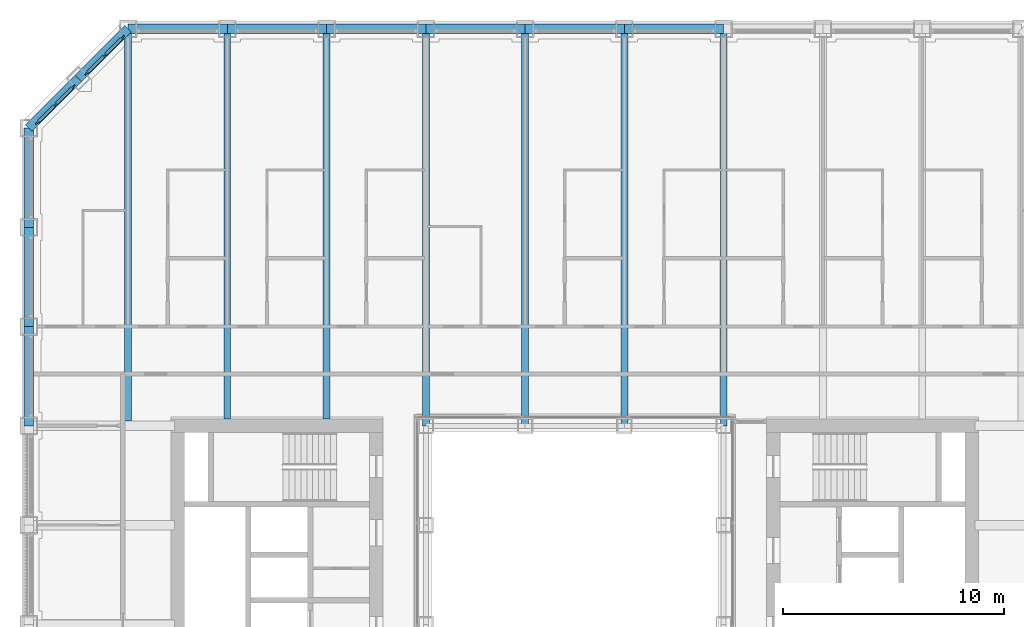
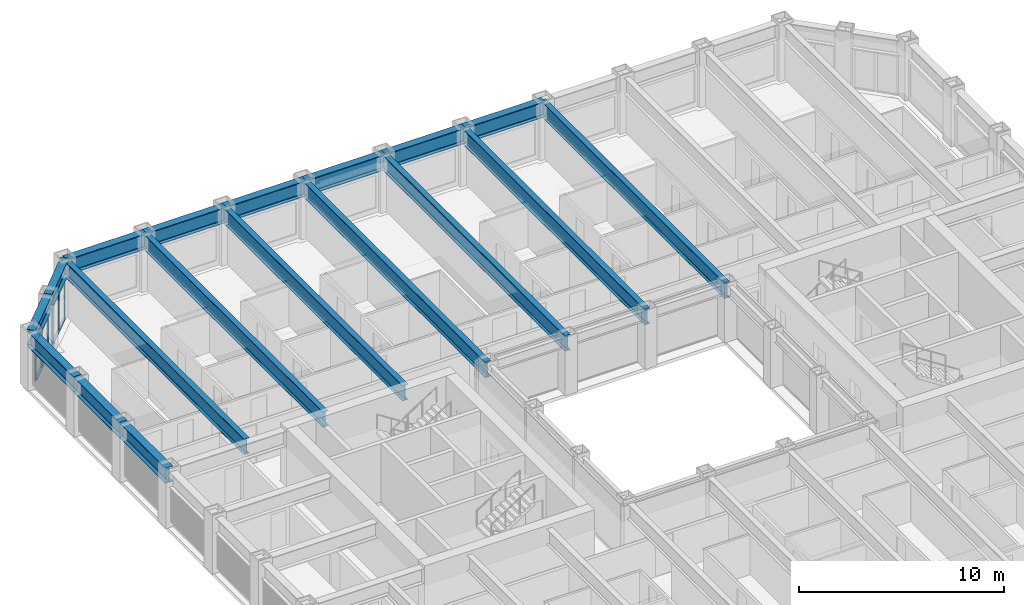
# One storey, part 6 of 21: 18 beams, 14 members, 2 elements without a shape of their own.
"""IFC4 building model written with IfcOpenShell, lengths in metres."""

from ifc_helpers import new_model, si_unit, direction, frame, origin, origin_2d, place, context, subcontext, project, spatial, rectangle, i_section, extrude, material, material_profile, profile_set, type_object, element, aggregate, save


model = new_model("IFC4")

# Units and contexts
model_context = context("Model", 3, precision=1e-05, world=origin(), true_north=direction((0.0, 1.0)))
body_context = subcontext(model_context, "Body", "Model", "MODEL_VIEW")
ifc_project = project(units=[si_unit("LENGTHUNIT", "METRE"), si_unit("AREAUNIT", "SQUARE_METRE"), si_unit("VOLUMEUNIT", "CUBIC_METRE"), si_unit("PLANEANGLEUNIT", "RADIAN"), si_unit("MASSUNIT", "GRAM", prefix="KILO")], contexts=[model_context])

# Site, building, storey
site_placement = place(None, origin())
site = spatial("IfcSite", under=ifc_project, at=site_placement, CompositionType="ELEMENT")
building_placement = place(site_placement, origin())
building = spatial("IfcBuilding", under=site, at=building_placement, Name="Msasa Ring Tower", CompositionType="ELEMENT")
storey_placement = place(building_placement, frame((0.0, 0.0, 72.0)))
storey = spatial("IfcBuildingStorey", under=building, at=storey_placement, Name="L18", CompositionType="ELEMENT", Elevation=72.0)

# Curtain wall, members
ifc_material_1 = material(Name="Aluminium curtain wall with clear glass", Category="aluminium")
curtain_wall_type = type_object("IfcCurtainWallType", Name="CW-C CHAMFER CORNER CURTAIN WALL", PredefinedType="NOTDEFINED", material=ifc_material_1)
curtain_wall_1_placement = place(storey_placement, origin())
curtain_wall_1 = element("IfcCurtainWall", 1, at=curtain_wall_1_placement, inside=storey, type_object=curtain_wall_type, Name="Chamfer corner curtain wall NW L18", PredefinedType="NOTDEFINED")
ifc_material_2 = material(Name="Aluminium mullion", Category="aluminium")
ifc_material_profile_1 = material_profile(ifc_material_2, rectangle(XDim=0.06494140625, YDim=0.179931640625, at=origin_2d()), Name="AL 65x180")
ifc_profile_set_1 = profile_set([ifc_material_profile_1], Name="Aluminium mullion")
member_type_1 = type_object("IfcMemberType", Name="CW-C MULLION 65x180", PredefinedType="MULLION", material=ifc_profile_set_1)
member_1_placement = place(storey_placement, frame((-22.73876953125, 22.119873046875, 0.0), z_axis=(0.0, 0.0, 1.0), x_axis=(0.707106781187, -0.707106781187, 0.0)))
member_1 = element("IfcMember", 2, at=member_1_placement, type_object=member_type_1, Name="CW-C mullion 1", PredefinedType="MULLION", context=body_context, shape_type="SweptSolid", body=[
    extrude(rectangle(XDim=0.06494140625, YDim=0.179931640625, at=origin_2d()), origin(), (0.0, 0.0, 1.0), 2.37890625),
])
member_2_placement = place(storey_placement, frame((-23.55419921875, 21.30419921875, 0.0), z_axis=(0.0, 0.0, 1.0), x_axis=(0.707106781187, -0.707106781187, 0.0)))
member_2 = element("IfcMember", 3, at=member_2_placement, type_object=member_type_1, Name="CW-C mullion 2", PredefinedType="MULLION", context=body_context, shape_type="SweptSolid", body=[
    extrude(rectangle(XDim=0.06494140625, YDim=0.179931640625, at=origin_2d()), origin(), (0.0, 0.0, 1.0), 2.37890625),
])
member_3_placement = place(storey_placement, frame((-24.369873046875, 20.48876953125, 0.0), z_axis=(0.0, 0.0, 1.0), x_axis=(0.707106781187, -0.707106781187, 0.0)))
member_3 = element("IfcMember", 4, at=member_3_placement, type_object=member_type_1, Name="CW-C mullion 3", PredefinedType="MULLION", context=body_context, shape_type="SweptSolid", body=[
    extrude(rectangle(XDim=0.06494140625, YDim=0.179931640625, at=origin_2d()), origin(), (0.0, 0.0, 1.0), 2.37890625),
])

curtain_wall_2_placement = place(storey_placement, origin())
curtain_wall_2 = element("IfcCurtainWall", 5, at=curtain_wall_2_placement, inside=storey, type_object=curtain_wall_type, Name="Chamfer corner curtain wall NW L18", PredefinedType="NOTDEFINED")
member_4_placement = place(storey_placement, frame((-20.48876953125, 24.369873046875, 0.0), z_axis=(0.0, 0.0, 1.0), x_axis=(0.707106781187, -0.707106781187, 0.0)))
member_4 = element("IfcMember", 6, at=member_4_placement, type_object=member_type_1, Name="CW-C mullion 1", PredefinedType="MULLION", context=body_context, shape_type="SweptSolid", body=[
    extrude(rectangle(XDim=0.06494140625, YDim=0.179931640625, at=origin_2d()), origin(), (0.0, 0.0, 1.0), 2.37890625),
])
member_5_placement = place(storey_placement, frame((-21.30419921875, 23.55419921875, 0.0), z_axis=(0.0, 0.0, 1.0), x_axis=(0.707106781187, -0.707106781187, 0.0)))
member_5 = element("IfcMember", 7, at=member_5_placement, type_object=member_type_1, Name="CW-C mullion 2", PredefinedType="MULLION", context=body_context, shape_type="SweptSolid", body=[
    extrude(rectangle(XDim=0.06494140625, YDim=0.179931640625, at=origin_2d()), origin(), (0.0, 0.0, 1.0), 2.37890625),
])
member_6_placement = place(storey_placement, frame((-22.119873046875, 22.73876953125, 0.0), z_axis=(0.0, 0.0, 1.0), x_axis=(0.707106781187, -0.707106781187, 0.0)))
member_6 = element("IfcMember", 8, at=member_6_placement, type_object=member_type_1, Name="CW-C mullion 3", PredefinedType="MULLION", context=body_context, shape_type="SweptSolid", body=[
    extrude(rectangle(XDim=0.06494140625, YDim=0.179931640625, at=origin_2d()), origin(), (0.0, 0.0, 1.0), 2.37890625),
])

# Member
ifc_material_3 = material(Name="Aluminium transom", Category="aluminium")
ifc_material_profile_2 = material_profile(ifc_material_3, rectangle(XDim=0.139892578125, YDim=0.06494140625, at=origin_2d()), Name="AL 65x140")
ifc_profile_set_2 = profile_set([ifc_material_profile_2], Name="Aluminium transom")
member_type_2 = type_object("IfcMemberType", Name="CW-C TRANSOM 65x140", PredefinedType="USERDEFINED", material=ifc_profile_set_2)
member_7_placement = place(storey_placement, frame((-22.76171875, 22.096923828125, 0.032470703125), z_axis=(-0.707106781187, -0.707106781187, 0.0), x_axis=(0.707106781187, -0.707106781187, 0.0)))
member_7 = element("IfcMember", 9, at=member_7_placement, type_object=member_type_2, Name="CW-C transom 1.1", ObjectType="TRANSOM", PredefinedType="USERDEFINED", context=body_context, shape_type="SweptSolid", body=[
    extrude(rectangle(XDim=0.139892578125, YDim=0.06494140625, at=origin_2d()), origin(), (0.0, 0.0, 1.0), 1.08837890625),
])

member_8_placement = place(storey_placement, frame((-22.76171875, 22.096923828125, 2.346435546875), z_axis=(-0.707106781187, -0.707106781187, 0.0), x_axis=(0.707106781187, -0.707106781187, 0.0)))
member_8 = element("IfcMember", 10, at=member_8_placement, type_object=member_type_2, Name="CW-C transom 1.2", ObjectType="TRANSOM", PredefinedType="USERDEFINED", context=body_context, shape_type="SweptSolid", body=[
    extrude(rectangle(XDim=0.139892578125, YDim=0.06494140625, at=origin_2d()), origin(), (0.0, 0.0, 1.0), 1.08837890625),
])

member_9_placement = place(storey_placement, frame((-23.577392578125, 21.28125, 0.032470703125), z_axis=(-0.707106781187, -0.707106781187, 0.0), x_axis=(0.707106781187, -0.707106781187, 0.0)))
member_9 = element("IfcMember", 11, at=member_9_placement, type_object=member_type_2, Name="CW-C transom 2.1", ObjectType="TRANSOM", PredefinedType="USERDEFINED", context=body_context, shape_type="SweptSolid", body=[
    extrude(rectangle(XDim=0.139892578125, YDim=0.06494140625, at=origin_2d()), origin(), (0.0, 0.0, 1.0), 1.08837890625),
])

member_10_placement = place(storey_placement, frame((-23.577392578125, 21.28125, 2.346435546875), z_axis=(-0.707106781187, -0.707106781187, 0.0), x_axis=(0.707106781187, -0.707106781187, 0.0)))
member_10 = element("IfcMember", 12, at=member_10_placement, type_object=member_type_2, Name="CW-C transom 2.2", ObjectType="TRANSOM", PredefinedType="USERDEFINED", context=body_context, shape_type="SweptSolid", body=[
    extrude(rectangle(XDim=0.139892578125, YDim=0.06494140625, at=origin_2d()), origin(), (0.0, 0.0, 1.0), 1.08837890625),
])

aggregate(curtain_wall_1, [member_1, member_2, member_3, member_7, member_8, member_9, member_10])

member_11_placement = place(storey_placement, frame((-20.51171875, 24.346923828125, 0.032470703125), z_axis=(-0.707106781187, -0.707106781187, 0.0), x_axis=(0.707106781187, -0.707106781187, 0.0)))
member_11 = element("IfcMember", 13, at=member_11_placement, type_object=member_type_2, Name="CW-C transom 1.1", ObjectType="TRANSOM", PredefinedType="USERDEFINED", context=body_context, shape_type="SweptSolid", body=[
    extrude(rectangle(XDim=0.139892578125, YDim=0.06494140625, at=origin_2d()), origin(), (0.0, 0.0, 1.0), 1.08837890625),
])

member_12_placement = place(storey_placement, frame((-20.51171875, 24.346923828125, 2.346435546875), z_axis=(-0.707106781187, -0.707106781187, 0.0), x_axis=(0.707106781187, -0.707106781187, 0.0)))
member_12 = element("IfcMember", 14, at=member_12_placement, type_object=member_type_2, Name="CW-C transom 1.2", ObjectType="TRANSOM", PredefinedType="USERDEFINED", context=body_context, shape_type="SweptSolid", body=[
    extrude(rectangle(XDim=0.139892578125, YDim=0.06494140625, at=origin_2d()), origin(), (0.0, 0.0, 1.0), 1.08837890625),
])

member_13_placement = place(storey_placement, frame((-21.327392578125, 23.53125, 0.032470703125), z_axis=(-0.707106781187, -0.707106781187, 0.0), x_axis=(0.707106781187, -0.707106781187, 0.0)))
member_13 = element("IfcMember", 15, at=member_13_placement, type_object=member_type_2, Name="CW-C transom 2.1", ObjectType="TRANSOM", PredefinedType="USERDEFINED", context=body_context, shape_type="SweptSolid", body=[
    extrude(rectangle(XDim=0.139892578125, YDim=0.06494140625, at=origin_2d()), origin(), (0.0, 0.0, 1.0), 1.08837890625),
])

member_14_placement = place(storey_placement, frame((-21.327392578125, 23.53125, 2.346435546875), z_axis=(-0.707106781187, -0.707106781187, 0.0), x_axis=(0.707106781187, -0.707106781187, 0.0)))
member_14 = element("IfcMember", 16, at=member_14_placement, type_object=member_type_2, Name="CW-C transom 2.2", ObjectType="TRANSOM", PredefinedType="USERDEFINED", context=body_context, shape_type="SweptSolid", body=[
    extrude(rectangle(XDim=0.139892578125, YDim=0.06494140625, at=origin_2d()), origin(), (0.0, 0.0, 1.0), 1.08837890625),
])

aggregate(curtain_wall_2, [member_4, member_5, member_6, member_11, member_12, member_13, member_14])

# Beams
ifc_material_4 = material(Name="Steel S355", Category="steel")
ifc_material_profile_3 = material_profile(ifc_material_4, i_section(OverallWidth=0.3076171875, OverallDepth=0.926513671875, WebThickness=0.01953125, FlangeThickness=0.031982421875, FilletRadius=0.01904296875, at=origin_2d()), Name="UB 914x305x289")
ifc_profile_set_3 = profile_set([ifc_material_profile_3], Name="Steel S355")
beam_type_1 = type_object("IfcBeamType", Name="FB3 UB 914x305x289", PredefinedType="BEAM", material=ifc_profile_set_3)
beam_placement = place(storey_placement, frame((-20.25, 24.75, 2.836669921875), z_axis=(0.0, -1.0, 0.0), x_axis=(1.0, 0.0, 0.0)))
element("IfcBeam", 17, at=beam_placement, inside=storey, type_object=beam_type_1, Name="Floor beam N-20.25 under L19", PredefinedType="BEAM", context=body_context, shape_type="SweptSolid", body=[
    extrude(i_section(OverallWidth=0.3076171875, OverallDepth=0.926513671875, WebThickness=0.01953125, FlangeThickness=0.031982421875, FilletRadius=0.01904296875, at=origin_2d()), origin(), (0.0, 0.0, 1.0), 17.789794921875),
])
for number, where, z_axis, x_axis, name in (
    (18, (-15.75, 24.75, 2.836669921875), (0.0, -1.0, 0.0), (1.0, 0.0, 0.0), "Floor beam N-15.75 under L19"),
    (19, (-11.25, 24.75, 2.836669921875), (0.0, -1.0, 0.0), (1.0, 0.0, 0.0), "Floor beam N-11.25 under L19"),
):
    element("IfcBeam", number, at=place(storey_placement, frame(where, z_axis=z_axis, x_axis=x_axis)), inside=storey, type_object=beam_type_1, Name=name, PredefinedType="BEAM", context=body_context, shape_type="SweptSolid", body=[
        extrude(i_section(OverallWidth=0.3076171875, OverallDepth=0.926513671875, WebThickness=0.01953125, FlangeThickness=0.031982421875, FilletRadius=0.01904296875, at=origin_2d()), origin(), (0.0, 0.0, 1.0), 17.699951171875),
    ])
for number, where, z_axis, x_axis, name in (
    (20, (-6.75, 24.75, 2.836669921875), (0.0, -1.0, 0.0), (1.0, 0.0, 0.0), "Floor beam N-6.75 under L19"),
    (21, (-2.25, 24.75, 2.836669921875), (0.0, -1.0, 0.0), (1.0, 0.0, 0.0), "Floor beam N-2.25 under L19"),
    (22, (2.25, 24.75, 2.836669921875), (0.0, -1.0, 0.0), (1.0, 0.0, 0.0), "Floor beam N+2.25 under L19"),
    (23, (6.75, 24.75, 2.836669921875), (0.0, -1.0, 0.0), (1.0, 0.0, 0.0), "Floor beam N+6.75 under L19"),
):
    element("IfcBeam", number, at=place(storey_placement, frame(where, z_axis=z_axis, x_axis=x_axis)), inside=storey, type_object=beam_type_1, Name=name, PredefinedType="BEAM", context=body_context, shape_type="SweptSolid", body=[
        extrude(i_section(OverallWidth=0.3076171875, OverallDepth=0.926513671875, WebThickness=0.01953125, FlangeThickness=0.031982421875, FilletRadius=0.01904296875, at=origin_2d()), origin(), (0.0, 0.0, 1.0), 18.0),
    ])
ifc_material_5 = material(Name="Steel S355", Category="steel")
ifc_material_profile_4 = material_profile(ifc_material_5, i_section(OverallWidth=0.42041015625, OverallDepth=0.9208984375, WebThickness=0.021484375, FlangeThickness=0.03662109375, FilletRadius=0.024169921875, at=origin_2d()), Name="UB 914x419x388")
ifc_profile_set_4 = profile_set([ifc_material_profile_4], Name="Steel S355")
beam_type_2 = type_object("IfcBeamType", Name="SB1 UB 914x419x388", PredefinedType="SPANDREL", material=ifc_profile_set_4)
for number, where, z_axis, x_axis, name in (
    (24, (6.75, 24.75, 2.839599609375), (-1.0, 0.0, 0.0), (0.0, -1.0, 0.0), "Spandrel N+6.75 to N+2.25 under L19"),
    (25, (2.25, 24.75, 2.839599609375), (-1.0, 0.0, 0.0), (0.0, -1.0, 0.0), "Spandrel N+2.25 to N-2.25 under L19"),
    (26, (-2.25, 24.75, 2.839599609375), (-1.0, 0.0, 0.0), (0.0, -1.0, 0.0), "Spandrel N-2.25 to N-6.75 under L19"),
    (27, (-6.75, 24.75, 2.839599609375), (-1.0, 0.0, 0.0), (0.0, -1.0, 0.0), "Spandrel N-6.75 to N-11.25 under L19"),
    (28, (-11.25, 24.75, 2.839599609375), (-1.0, 0.0, 0.0), (0.0, -1.0, 0.0), "Spandrel N-11.25 to N-15.75 under L19"),
    (29, (-15.75, 24.75, 2.839599609375), (-1.0, 0.0, 0.0), (0.0, -1.0, 0.0), "Spandrel N-15.75 to N-20.25 under L19"),
):
    element("IfcBeam", number, at=place(storey_placement, frame(where, z_axis=z_axis, x_axis=x_axis)), inside=storey, type_object=beam_type_2, Name=name, PredefinedType="SPANDREL", context=body_context, shape_type="SweptSolid", body=[
        extrude(i_section(OverallWidth=0.42041015625, OverallDepth=0.9208984375, WebThickness=0.021484375, FlangeThickness=0.03662109375, FilletRadius=0.024169921875, at=origin_2d()), origin(), (0.0, 0.0, 1.0), 4.5),
    ])
for number, where, z_axis, x_axis, name in (
    (30, (-20.25, 24.75, 2.839599609375), (-0.707106781187, -0.707106781187, 0.0), (0.707106781187, -0.707106781187, 0.0), "Spandrel N-20.25 to NW under L19"),
    (31, (-22.5, 22.5, 2.839599609375), (-0.707106781187, -0.707106781187, 0.0), (0.707106781187, -0.707106781187, 0.0), "Spandrel NW to W+20.25 under L19"),
):
    element("IfcBeam", number, at=place(storey_placement, frame(where, z_axis=z_axis, x_axis=x_axis)), inside=storey, type_object=beam_type_2, Name=name, PredefinedType="SPANDREL", context=body_context, shape_type="SweptSolid", body=[
        extrude(i_section(OverallWidth=0.42041015625, OverallDepth=0.9208984375, WebThickness=0.021484375, FlangeThickness=0.03662109375, FilletRadius=0.024169921875, at=origin_2d()), origin(), (0.0, 0.0, 1.0), 3.181884765625),
    ])
for number, where, z_axis, x_axis, name in (
    (32, (-24.75, 20.25, 2.839599609375), (0.0, -1.0, 0.0), (1.0, 0.0, 0.0), "Spandrel W+20.25 to W+15.75 under L19"),
    (33, (-24.75, 15.75, 2.839599609375), (0.0, -1.0, 0.0), (1.0, 0.0, 0.0), "Spandrel W+15.75 to W+11.25 under L19"),
    (34, (-24.75, 11.25, 2.839599609375), (0.0, -1.0, 0.0), (1.0, 0.0, 0.0), "Spandrel W+11.25 to W+6.75 under L19"),
):
    element("IfcBeam", number, at=place(storey_placement, frame(where, z_axis=z_axis, x_axis=x_axis)), inside=storey, type_object=beam_type_2, Name=name, PredefinedType="SPANDREL", context=body_context, shape_type="SweptSolid", body=[
        extrude(i_section(OverallWidth=0.42041015625, OverallDepth=0.9208984375, WebThickness=0.021484375, FlangeThickness=0.03662109375, FilletRadius=0.024169921875, at=origin_2d()), origin(), (0.0, 0.0, 1.0), 4.5),
    ])

save(model, "model.ifc")
